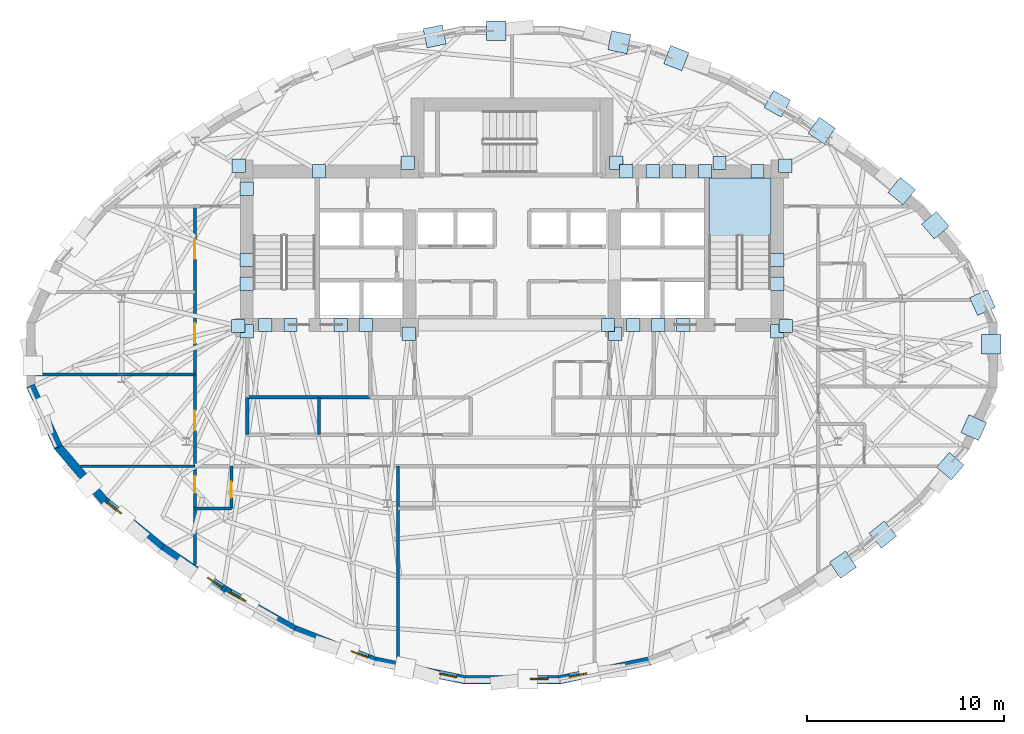
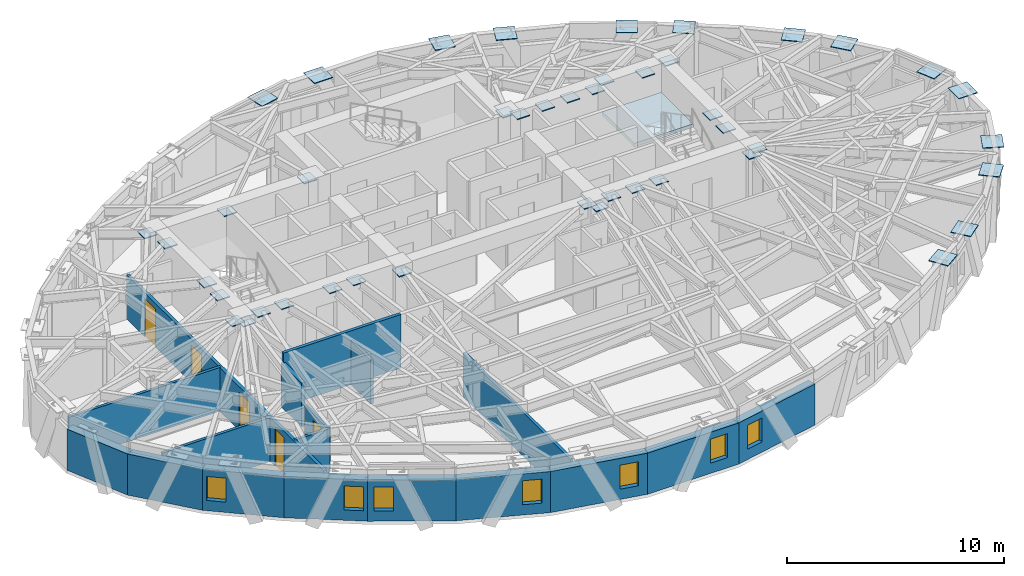
# One storey, part 5 of 14: 44 plates, 18 walls, 7 windows, 5 doors, 1 slab, 12 openings, 1 element without a shape of its own.
"""IFC4 building model written with IfcOpenShell, lengths in metres."""

from ifc_helpers import new_model, si_unit, direction, frame, frame_2d, origin, origin_2d, place, context, subcontext, project, spatial, polyline, rectangle, outline, extrude, material, layer, layer_set, type_object, element, fill, aggregate, save


model = new_model("IFC4")

# Units and contexts
model_context = context("Model", 3, precision=1e-05, world=origin(), true_north=direction((0.0, 1.0)))
body_context = subcontext(model_context, "Body", "Model", "MODEL_VIEW")
ifc_project = project(units=[si_unit("LENGTHUNIT", "METRE"), si_unit("AREAUNIT", "SQUARE_METRE"), si_unit("VOLUMEUNIT", "CUBIC_METRE"), si_unit("PLANEANGLEUNIT", "RADIAN"), si_unit("MASSUNIT", "GRAM", prefix="KILO")], contexts=[model_context])

# Site, building, storey
site_placement = place(None, origin())
site = spatial("IfcSite", under=ifc_project, at=site_placement, CompositionType="ELEMENT")
building_placement = place(site_placement, origin())
building = spatial("IfcBuilding", under=site, at=building_placement, Name="Keldmark Tower", CompositionType="ELEMENT")
storey_placement = place(building_placement, frame((0.0, 0.0, 188.60009765625)))
storey = spatial("IfcBuildingStorey", under=building, at=storey_placement, Name="L52", CompositionType="ELEMENT", Elevation=188.60009765625)

# Plates
ifc_material_1 = material(Name="Steel ASTM A572 Grade 50", Category="steel")
ifc_layer_1 = layer(ifc_material_1, 0.06005859375)
ifc_layer_set_1 = layer_set([ifc_layer_1], Name="Steel ASTM A572 Grade 50")
plate_type_1 = type_object("IfcPlateType", Name="Belt Truss Kink Node Assembly KN01 60 mm", PredefinedType="USERDEFINED", material=ifc_layer_set_1)
for number, where, z_axis, x_axis, name in (
    (1, (13.91162109375, 1.473388671875, 2.72412109375), (0.0, 0.0, 1.0), (1.0, 0.0, 0.0), "L52 Core Wall Cast-In Embed Plate 1526"),
    (2, (13.878173828125, 9.608154296875, 2.72412109375), (0.0, 0.0, 1.0), (1.0, 0.0, 0.0), "L52 Core Wall Cast-In Embed Plate 1527"),
    (3, (5.28515625, 9.758544921875, 2.72412109375), (0.0, 0.0, 1.0), (1.0, 0.0, 0.0), "L52 Core Wall Cast-In Embed Plate 1528"),
    (4, (-5.28515625, 9.758544921875, 2.72412109375), (0.0, 0.0, 1.0), (1.0, 0.0, 0.0), "L52 Core Wall Cast-In Embed Plate 1529"),
    (5, (-13.878173828125, 9.608154296875, 2.72412109375), (0.0, 0.0, 1.0), (1.0, 0.0, 0.0), "L52 Core Wall Cast-In Embed Plate 1530"),
    (6, (-13.91162109375, 1.473388671875, 2.72412109375), (0.0, 0.0, 1.0), (1.0, 0.0, 0.0), "L52 Core Wall Cast-In Embed Plate 1531"),
    (7, (-5.24072265625, 1.08251953125, 2.72412109375), (0.0, 0.0, 1.0), (1.0, 0.0, 0.0), "L52 Core Wall Cast-In Embed Plate 1532"),
    (8, (5.24072265625, 1.08251953125, 2.72412109375), (0.0, 0.0, 1.0), (1.0, 0.0, 0.0), "L52 Core Wall Cast-In Embed Plate 1533"),
    (9, (-13.47509765625, 1.199951171875, 2.72412109375), (0.0, 0.0, 1.0), (1.0, 0.0, 0.0), "L52 Core Wall Cast-In Embed Plate 1534"),
    (10, (-7.425048828125, 1.52490234375, 2.72412109375), (0.0, 0.0, 1.0), (1.0, 0.0, 0.0), "L52 Core Wall Cast-In Embed Plate 1535"),
    (11, (7.425048828125, 1.52490234375, 2.72412109375), (0.0, 0.0, 1.0), (1.0, 0.0, 0.0), "L52 Core Wall Cast-In Embed Plate 1536"),
    (12, (13.47509765625, 1.199951171875, 2.72412109375), (0.0, 0.0, 1.0), (1.0, 0.0, 0.0), "L52 Core Wall Cast-In Embed Plate 1537"),
    (13, (-8.699951171875, 1.52490234375, 2.72412109375), (0.0, 0.0, 1.0), (1.0, 0.0, 0.0), "L52 Core Wall Cast-In Embed Plate 1538"),
    (14, (13.47509765625, 4.8212890625, 2.72412109375), (0.0, 0.0, 1.0), (1.0, 0.0, 0.0), "L52 Core Wall Cast-In Embed Plate 1539"),
    (15, (9.8037109375, 9.324951171875, 2.72412109375), (0.0, 0.0, 1.0), (1.0, 0.0, 0.0), "L52 Core Wall Cast-In Embed Plate 1540"),
    (16, (10.5390625, 9.74853515625, 2.72412109375), (0.0, 0.0, 1.0), (1.0, 0.0, 0.0), "L52 Core Wall Cast-In Embed Plate 1541"),
    (17, (7.139404296875, 9.324951171875, 2.72412109375), (0.0, 0.0, 1.0), (1.0, 0.0, 0.0), "L52 Core Wall Cast-In Embed Plate 1542"),
    (18, (-9.8037109375, 9.324951171875, 2.72412109375), (0.0, 0.0, 1.0), (1.0, 0.0, 0.0), "L52 Core Wall Cast-In Embed Plate 1543"),
    (19, (-13.47509765625, 4.8212890625, 2.72412109375), (0.0, 0.0, 1.0), (1.0, 0.0, 0.0), "L52 Core Wall Cast-In Embed Plate 1544"),
    (20, (-13.47509765625, 8.44287109375, 2.72412109375), (0.0, 0.0, 1.0), (1.0, 0.0, 0.0), "L52 Core Wall Cast-In Embed Plate 1545"),
    (21, (-13.47509765625, 3.6142578125, 2.72412109375), (0.0, 0.0, 1.0), (1.0, 0.0, 0.0), "L52 Core Wall Cast-In Embed Plate 1546"),
    (22, (4.875, 1.52490234375, 2.72412109375), (0.0, 0.0, 1.0), (1.0, 0.0, 0.0), "L52 Core Wall Cast-In Embed Plate 1547"),
    (23, (-12.52490234375, 1.52490234375, 2.72412109375), (0.0, 0.0, 1.0), (1.0, 0.0, 0.0), "L52 Core Wall Cast-In Embed Plate 1548"),
    (24, (-11.25, 1.52490234375, 2.72412109375), (0.0, 0.0, 1.0), (1.0, 0.0, 0.0), "L52 Core Wall Cast-In Embed Plate 1549"),
    (25, (6.14990234375, 1.52490234375, 2.72412109375), (0.0, 0.0, 1.0), (1.0, 0.0, 0.0), "L52 Core Wall Cast-In Embed Plate 1550"),
    (26, (8.699951171875, 1.52490234375, 2.72412109375), (0.0, 0.0, 1.0), (1.0, 0.0, 0.0), "L52 Core Wall Cast-In Embed Plate 1551"),
    (27, (13.47509765625, 3.6142578125, 2.72412109375), (0.0, 0.0, 1.0), (1.0, 0.0, 0.0), "L52 Core Wall Cast-In Embed Plate 1552"),
    (28, (5.80712890625, 9.324951171875, 2.72412109375), (0.0, 0.0, 1.0), (1.0, 0.0, 0.0), "L52 Core Wall Cast-In Embed Plate 1553"),
    (29, (12.468017578125, 9.324951171875, 2.72412109375), (0.0, 0.0, 1.0), (1.0, 0.0, 0.0), "L52 Core Wall Cast-In Embed Plate 1554"),
    (30, (8.471435546875, 9.324951171875, 2.72412109375), (0.0, 0.0, 1.0), (1.0, 0.0, 0.0), "L52 Core Wall Cast-In Embed Plate 1555"),
):
    element("IfcPlate", number, at=place(storey_placement, frame(where, z_axis=z_axis, x_axis=x_axis)), inside=storey, type_object=plate_type_1, Name=name, ObjectType="CAP PLATE", PredefinedType="USERDEFINED", context=body_context, shape_type="SweptSolid", body=[
        extrude(rectangle(XDim=0.679931640625, YDim=0.679931640625, at=origin_2d()), origin(), (0.0, 0.0, 1.0), 0.054931640625),
    ])
ifc_material_2 = material(Name="Steel ASTM A572 Grade 50", Category="steel")
ifc_layer_2 = layer(ifc_material_2, 0.044921875)
ifc_layer_set_2 = layer_set([ifc_layer_2], Name="Steel ASTM A572 Grade 50")
plate_type_2 = type_object("IfcPlateType", Name="Diagrid Node Assembly DN04 45 mm", PredefinedType="USERDEFINED", material=ifc_layer_set_2)
for number, where, z_axis, x_axis, name in (
    (31, (23.89208984375, 2.661376953125, 2.87744140625), (0.0, 0.0, 1.0), (-0.412627540369, 0.910899836935, 0.0), "L52 Diagrid Node Assembly 01"),
    (32, (21.50048828125, 6.589599609375, 2.87744140625), (0.0, 0.0, 1.0), (-0.649713440513, 0.760179219143, 0.0), "L52 Diagrid Node Assembly 02"),
    (33, (19.789306640625, 8.32080078125, 2.87744140625), (0.0, 0.0, 1.0), (-0.77615646894, 0.630540352177, 0.0), "L52 Diagrid Node Assembly 03"),
    (34, (15.731689453125, 11.384765625, 2.87744140625), (0.0, 0.0, 1.0), (-0.827766671236, 0.56107248907, 0.0), "L52 Diagrid Node Assembly 04"),
    (35, (13.472900390625, 12.754150390625, 2.87744140625), (0.0, 0.0, 1.0), (-0.87035569594, 0.492423560103, 0.0), "L52 Diagrid Node Assembly 05"),
    (36, (8.34326171875, 15.07421875, 2.87744140625), (0.0, 0.0, 1.0), (-0.930800856941, 0.365526694947, 0.0), "L52 Diagrid Node Assembly 06"),
    (37, (5.448486328125, 15.881103515625, 2.87744140625), (0.0, 0.0, 1.0), (-0.979009915383, 0.203812623708, 0.0), "L52 Diagrid Node Assembly 07"),
    (38, (-0.806884765625, 16.477783203125, 2.87744140625), (0.0, 0.0, 1.0), (-1.0, 0.0, 0.0), "L52 Diagrid Node Assembly 08"),
    (39, (-3.928466796875, 16.17822265625, 2.87744140625), (0.0, 0.0, 1.0), (-0.979009915383, -0.203812623708, 0.0), "L52 Diagrid Node Assembly 09"),
    (40, (16.81103515625, -10.650390625, 2.87744140625), (0.0, 0.0, 1.0), (0.827766671236, 0.56107248907, 0.0), "L52 Diagrid Node Assembly 28"),
    (41, (18.834716796875, -9.12158203125, 2.87744140625), (0.0, 0.0, 1.0), (0.77615646894, 0.630540352177, 0.0), "L52 Diagrid Node Assembly 29"),
    (42, (22.260009765625, -5.647216796875, 2.87744140625), (0.0, 0.0, 1.0), (0.649713440513, 0.760179219143, 0.0), "L52 Diagrid Node Assembly 30"),
    (43, (23.452392578125, -3.688232421875, 2.87744140625), (0.0, 0.0, 1.0), (0.412627540369, 0.910899836935, 0.0), "L52 Diagrid Node Assembly 31"),
    (44, (24.333984375, 0.548828125, 2.87744140625), (0.0, 0.0, 1.0), (0.0, 1.0, 0.0), "L52 Diagrid Node Assembly 32"),
):
    element("IfcPlate", number, at=place(storey_placement, frame(where, z_axis=z_axis, x_axis=x_axis)), inside=storey, type_object=plate_type_2, Name=name, ObjectType="GUSSET", PredefinedType="USERDEFINED", context=body_context, shape_type="SweptSolid", body=[
        extrude(rectangle(XDim=0.989990234375, YDim=0.989990234375, at=origin_2d()), origin(), (0.0, 0.0, 1.0), 0.044921875),
    ])

# Stair, slab
ifc_material_3 = material(Name="Concrete C40/50", Category="concrete")
stair_type = type_object("IfcStairType", Name="Precast Concrete Core Exit Stair", PredefinedType="HALF_TURN_STAIR", material=ifc_material_3)
stair_placement = place(storey_placement, origin())
stair = element("IfcStair", 45, at=stair_placement, inside=storey, type_object=stair_type, Name="L52 Exit Stair ST2", PredefinedType="HALF_TURN_STAIR")
ifc_material_4 = material(Name="Concrete C40/50", Category="concrete")
ifc_layer_3 = layer(ifc_material_4, 0.199951171875)
ifc_layer_set_3 = layer_set([ifc_layer_3], Name="Concrete C40/50")
slab_type = type_object("IfcSlabType", Name="Reinforced Concrete Stair Landing 200 mm", PredefinedType="LANDING", material=ifc_layer_set_3)
slab_placement = place(storey_placement, frame((0.0, 0.0, 1.39990234375)))
slab = element("IfcSlab", 46, at=slab_placement, type_object=slab_type, Name="ST2 landing 1", PredefinedType="LANDING", context=body_context, shape_type="SweptSolid", body=[
    extrude(outline(polyline([(13.14990234375, 6.050048828125), (13.14990234375, 9.0), (10.0, 9.0), (10.0, 6.050048828125), (13.14990234375, 6.050048828125)])), origin(), (0.0, 0.0, 1.0), 0.199951171875),
])
aggregate(stair, [slab])

# Walls
ifc_material_5 = material(Name="Heavy Acoustic Plumbing Chase Gypsum Assembly", Category="gypsum")
ifc_layer_4 = layer(ifc_material_5, 0.18994140625)
ifc_layer_set_4 = layer_set([ifc_layer_4], Name="Heavy Acoustic Plumbing Chase Gypsum Assembly")
wall_type_1 = type_object("IfcWallType", Name="Heavy Wet Wall 190 mm", PredefinedType="PLUMBINGWALL", material=ifc_layer_set_4)
wall_1_placement = place(storey_placement, frame((-13.449951171875, -4.050048828125, 0.0), z_axis=(0.0, 0.0, 1.0), x_axis=(0.0, 1.0, 0.0)))
element("IfcWall", 47, at=wall_1_placement, inside=storey, type_object=wall_type_1, Name="L52 Heavy Wet Wall 190 mm SPK-W-W", PredefinedType="PLUMBINGWALL", context=body_context, shape_type="SweptSolid", body=[
    extrude(rectangle(XDim=1.900146484375, YDim=0.18994140625, at=frame_2d((0.9501953125, 0.0))), origin(), (0.0, 0.0, 1.0), 2.472900390625),
])
ifc_material_6 = material(Name="Type X Fire-Rated Gypsum Partition Assembly", Category="gypsum")
ifc_layer_5 = layer(ifc_material_6, 0.1650390625)
ifc_layer_set_5 = layer_set([ifc_layer_5], Name="Type X Fire-Rated Gypsum Partition Assembly")
wall_type_2 = type_object("IfcWallType", Name="Rated Partition 165 mm", PredefinedType="PARTITIONING", material=ifc_layer_set_5)
wall_2_placement = place(storey_placement, frame((-13.449951171875, -2.14990234375, 0.0), z_axis=(0.0, 0.0, 1.0), x_axis=(1.0, 0.0, 0.0)))
element("IfcWall", 48, at=wall_2_placement, inside=storey, type_object=wall_type_2, Name="L52 Rated Partition 165 mm FSAE-W-S", PredefinedType="PARTITIONING", context=body_context, shape_type="SweptSolid", body=[
    extrude(rectangle(XDim=6.25, YDim=0.1650390625, at=frame_2d((3.125, 0.0))), origin(), (0.0, 0.0, 1.0), 3.02001953125),
])

# Wall, openings, doors
wall_3_placement = place(storey_placement, frame((-16.10009765625, -10.64501953125, 0.0), z_axis=(0.0, 0.0, 1.0), x_axis=(0.0, 1.0, 0.0)))
wall_3 = element("IfcWall", 49, at=wall_3_placement, inside=storey, type_object=wall_type_2, Name="L52 Rated Partition 165 mm HCOR-W", PredefinedType="PARTITIONING", context=body_context, shape_type="SweptSolid", body=[
    extrude(rectangle(XDim=18.195068359375, YDim=0.1650390625, at=frame_2d((9.09765625, 0.0))), origin(), (0.0, 0.0, 1.0), 2.472900390625),
])
opening_1_placement = place(wall_3_placement, frame((3.6455078125, 0.0, 0.0)))
opening_1 = element("IfcOpeningElement", 50, at=opening_1_placement, cuts=wall_3, Name="Opening D-IN085", PredefinedType="OPENING", context=body_context, shape_type="SweptSolid", body=[
    extrude(rectangle(XDim=0.85009765625, YDim=2.10009765625, at=frame_2d((0.425048828125, 1.050048828125))), frame((0.0, 0.092529296875, 0.0), z_axis=(0.0, -1.0, 0.0), x_axis=(1.0, 0.0, 0.0)), (0.0, 0.0, 1.0), 0.18505859375),
])
opening_2_placement = place(wall_3_placement, frame((6.820556640625, 0.0, 0.0)))
opening_2 = element("IfcOpeningElement", 51, at=opening_2_placement, cuts=wall_3, Name="Opening D-FD100", PredefinedType="OPENING", context=body_context, shape_type="SweptSolid", body=[
    extrude(rectangle(XDim=1.0, YDim=2.14990234375, at=frame_2d((0.5, 1.074951171875))), frame((0.0, 0.092529296875, 0.0), z_axis=(0.0, -1.0, 0.0), x_axis=(1.0, 0.0, 0.0)), (0.0, 0.0, 1.0), 0.18505859375),
])
opening_3_placement = place(wall_3_placement, frame((11.24560546875, 0.0, 0.0)))
opening_3 = element("IfcOpeningElement", 52, at=opening_3_placement, cuts=wall_3, Name="Opening D-FD100", PredefinedType="OPENING", context=body_context, shape_type="SweptSolid", body=[
    extrude(rectangle(XDim=1.0, YDim=2.14990234375, at=frame_2d((0.5, 1.074951171875))), frame((0.0, 0.092529296875, 0.0), z_axis=(0.0, -1.0, 0.0), x_axis=(1.0, 0.0, 0.0)), (0.0, 0.0, 1.0), 0.18505859375),
])
opening_4_placement = place(wall_3_placement, frame((15.5205078125, 0.0, 0.0)))
opening_4 = element("IfcOpeningElement", 53, at=opening_4_placement, cuts=wall_3, Name="Opening D-FD100", PredefinedType="OPENING", context=body_context, shape_type="SweptSolid", body=[
    extrude(rectangle(XDim=1.0, YDim=2.14990234375, at=frame_2d((0.5, 1.074951171875))), frame((0.0, 0.092529296875, 0.0), z_axis=(0.0, -1.0, 0.0), x_axis=(1.0, 0.0, 0.0)), (0.0, 0.0, 1.0), 0.18505859375),
])
ifc_material_7 = material(Name="Hollow Metal Fire-Rated Corridor Door", Category="metal")
door_type_1 = type_object("IfcDoorType", Name="Fire Door 1000x2150", OperationType="NOTDEFINED", PredefinedType="DOOR", material=ifc_material_7)
door_1_placement = place(opening_2_placement, origin())
door_1 = element("IfcDoor", 54, at=door_1_placement, inside=storey, type_object=door_type_1, Name="L52 Fire Door 1000x2150 D-HWSP-1-L52", OperationType="SINGLE_SWING_RIGHT", OverallHeight=2.14990234375, OverallWidth=1.0, PredefinedType="DOOR", context=body_context, shape_type="SweptSolid", body=[
    extrude(rectangle(XDim=1.0, YDim=2.14990234375, at=frame_2d((0.5, 1.074951171875))), frame((0.0, 0.02490234375, 0.0), z_axis=(0.0, -1.0, 0.0), x_axis=(1.0, 0.0, 0.0)), (0.0, 0.0, 1.0), 0.050048828125),
])
fill(opening_2, door_1)
door_2_placement = place(opening_3_placement, origin())
door_2 = element("IfcDoor", 55, at=door_2_placement, inside=storey, type_object=door_type_1, Name="L52 Fire Door 1000x2150 D-HWSP-2-L52", OperationType="SINGLE_SWING_LEFT", OverallHeight=2.14990234375, OverallWidth=1.0, PredefinedType="DOOR", context=body_context, shape_type="SweptSolid", body=[
    extrude(rectangle(XDim=1.0, YDim=2.14990234375, at=frame_2d((0.5, 1.074951171875))), frame((0.0, 0.02490234375, 0.0), z_axis=(0.0, -1.0, 0.0), x_axis=(1.0, 0.0, 0.0)), (0.0, 0.0, 1.0), 0.050048828125),
])
fill(opening_3, door_2)
door_3_placement = place(opening_4_placement, origin())
door_3 = element("IfcDoor", 56, at=door_3_placement, inside=storey, type_object=door_type_1, Name="L52 Fire Door 1000x2150 D-HWSP-3-L52", OperationType="SINGLE_SWING_LEFT", OverallHeight=2.14990234375, OverallWidth=1.0, PredefinedType="DOOR", context=body_context, shape_type="SweptSolid", body=[
    extrude(rectangle(XDim=1.0, YDim=2.14990234375, at=frame_2d((0.5, 1.074951171875))), frame((0.0, 0.02490234375, 0.0), z_axis=(0.0, -1.0, 0.0), x_axis=(1.0, 0.0, 0.0)), (0.0, 0.0, 1.0), 0.050048828125),
])
fill(opening_4, door_3)
ifc_material_8 = material(Name="Painted Architectural Wood", Category="wood")
door_type_2 = type_object("IfcDoorType", Name="Interior Door 850x2100", OperationType="NOTDEFINED", PredefinedType="DOOR", material=ifc_material_8)
door_4_placement = place(opening_1_placement, origin())
door_4 = element("IfcDoor", 57, at=door_4_placement, inside=storey, type_object=door_type_2, Name="L52 Interior Door 850x2100 D-HKSW-L52", OperationType="SINGLE_SWING_LEFT", OverallHeight=2.10009765625, OverallWidth=0.85009765625, PredefinedType="DOOR", context=body_context, shape_type="SweptSolid", body=[
    extrude(rectangle(XDim=0.85009765625, YDim=2.10009765625, at=frame_2d((0.425048828125, 1.050048828125))), frame((0.0, 0.02490234375, 0.0), z_axis=(0.0, -1.0, 0.0), x_axis=(1.0, 0.0, 0.0)), (0.0, 0.0, 1.0), 0.050048828125),
])
fill(opening_1, door_4)

# Walls
ifc_material_9 = material(Name="Ironspot Manganese Brick and Kasota Buff Limestone Spandrel Assembly", Category="masonry")
ifc_layer_6 = layer(ifc_material_9, 0.43994140625)
ifc_layer_set_6 = layer_set([ifc_layer_6], Name="Ironspot Manganese Brick and Kasota Buff Limestone Spandrel Assembly")
wall_type_3 = type_object("IfcWallType", Name="Tower Brick Pier and Spandrel Wall 440 mm", PredefinedType="STANDARD", material=ifc_layer_set_6)
wall_4_placement = place(storey_placement, frame((-23.038818359375, -4.6884765625, 0.0), z_axis=(0.0, 0.0, 1.0), x_axis=(-0.412583132773, 0.91091995178, 0.0)))
element("IfcWall", 58, at=wall_4_placement, inside=storey, type_object=wall_type_3, Name="L52 Exterior Brick and Spandrel Wall 17", PredefinedType="STANDARD", context=body_context, shape_type="SweptSolid", body=[
    extrude(rectangle(XDim=3.439208984375, YDim=0.43994140625, at=frame_2d((1.7197265625, 0.0))), origin(), (0.0, 0.0, 1.0), 2.31494140625),
])
wall_5_placement = place(storey_placement, frame((-20.69580078125, -7.4169921875, 0.0), z_axis=(0.0, 0.0, 1.0), x_axis=(-0.649641806751, 0.760240437573, 0.0)))
element("IfcWall", 59, at=wall_5_placement, inside=storey, type_object=wall_type_3, Name="L52 Exterior Brick and Spandrel Wall 18", PredefinedType="STANDARD", context=body_context, shape_type="SweptSolid", body=[
    extrude(rectangle(XDim=3.65771484375, YDim=0.43994140625, at=frame_2d((1.828857421875, 0.0))), origin(), (0.0, 0.0, 1.0), 2.31494140625),
])

# Wall, opening, window
wall_6_placement = place(storey_placement, frame((-17.76708984375, -9.79150390625, 0.0), z_axis=(0.0, 0.0, 1.0), x_axis=(-0.776145361002, 0.63055402512, 0.0)))
wall_6 = element("IfcWall", 60, at=wall_6_placement, inside=storey, type_object=wall_type_3, Name="L52 Exterior Brick and Spandrel Wall 19", PredefinedType="STANDARD", context=body_context, shape_type="SweptSolid", body=[
    extrude(rectangle(XDim=3.809814453125, YDim=0.43994140625, at=frame_2d((1.90478515625, 0.0))), origin(), (0.0, 0.0, 1.0), 2.31494140625),
])
opening_5_placement = place(wall_6_placement, frame((2.7099609375, 0.0, 0.580078125)))
opening_5 = element("IfcOpeningElement", 61, at=opening_5_placement, cuts=wall_6, Name="Opening W-09", PredefinedType="OPENING", context=body_context, shape_type="SweptSolid", body=[
    extrude(rectangle(XDim=0.89990234375, YDim=1.35009765625, at=frame_2d((0.449951171875, 0.675048828125))), frame((0.0, 0.22998046875, 0.0), z_axis=(0.0, -1.0, 0.0), x_axis=(1.0, 0.0, 0.0)), (0.0, 0.0, 1.0), 0.4599609375),
])
ifc_material_10 = material(Name="Thermally Broken Anodized Aluminum and Triple Low-E Argon Glazing", Category="aluminium")
window_type = type_object("IfcWindowType", Name="Corner Pier Deep-Set Window 900x1350", PartitioningType="SINGLE_PANEL", PredefinedType="WINDOW", material=ifc_material_10)
window_1_placement = place(opening_5_placement, origin())
window_1 = element("IfcWindow", 62, at=window_1_placement, inside=storey, type_object=window_type, Name="L52 Deep-Set Window 19", OverallHeight=1.35009765625, OverallWidth=0.89990234375, PartitioningType="SINGLE_PANEL", PredefinedType="WINDOW", context=body_context, shape_type="SweptSolid", body=[
    extrude(rectangle(XDim=0.89990234375, YDim=1.35009765625, at=frame_2d((0.449951171875, 0.675048828125))), frame((0.0, -0.010009765625, 0.0), z_axis=(0.0, -1.0, 0.0), x_axis=(1.0, 0.0, 0.0)), (0.0, 0.0, 1.0), 0.06005859375),
])
fill(opening_5, window_1)

wall_7_placement = place(storey_placement, frame((-14.5712890625, -11.956787109375, 0.0), z_axis=(0.0, 0.0, 1.0), x_axis=(-0.82772633423, 0.56113199483, 0.0)))
wall_7 = element("IfcWall", 63, at=wall_7_placement, inside=storey, type_object=wall_type_3, Name="L52 Exterior Brick and Spandrel Wall 20", PredefinedType="STANDARD", context=body_context, shape_type="SweptSolid", body=[
    extrude(rectangle(XDim=3.879150390625, YDim=0.43994140625, at=frame_2d((1.939453125, 0.0))), origin(), (0.0, 0.0, 1.0), 2.31494140625),
])
opening_6_placement = place(wall_7_placement, frame((0.199951171875, 0.0, 0.580078125)))
opening_6 = element("IfcOpeningElement", 64, at=opening_6_placement, cuts=wall_7, Name="Opening W-09", PredefinedType="OPENING", context=body_context, shape_type="SweptSolid", body=[
    extrude(rectangle(XDim=0.89990234375, YDim=1.35009765625, at=frame_2d((0.449951171875, 0.675048828125))), frame((0.0, 0.22998046875, 0.0), z_axis=(0.0, -1.0, 0.0), x_axis=(1.0, 0.0, 0.0)), (0.0, 0.0, 1.0), 0.4599609375),
])
window_2_placement = place(opening_6_placement, origin())
window_2 = element("IfcWindow", 65, at=window_2_placement, inside=storey, type_object=window_type, Name="L52 Deep-Set Window 20", OverallHeight=1.35009765625, OverallWidth=0.89990234375, PartitioningType="SINGLE_PANEL", PredefinedType="WINDOW", context=body_context, shape_type="SweptSolid", body=[
    extrude(rectangle(XDim=0.89990234375, YDim=1.35009765625, at=frame_2d((0.449951171875, 0.675048828125))), frame((0.0, -0.010009765625, 0.0), z_axis=(0.0, -1.0, 0.0), x_axis=(1.0, 0.0, 0.0)), (0.0, 0.0, 1.0), 0.06005859375),
])
fill(opening_6, window_2)

wall_8_placement = place(storey_placement, frame((-11.043212890625, -13.952392578125, 0.0), z_axis=(0.0, 0.0, 1.0), x_axis=(-0.870346086449, 0.492440544434, 0.0)))
wall_8 = element("IfcWall", 66, at=wall_8_placement, inside=storey, type_object=wall_type_3, Name="L52 Exterior Brick and Spandrel Wall 21", PredefinedType="STANDARD", context=body_context, shape_type="SweptSolid", body=[
    extrude(rectangle(XDim=4.0712890625, YDim=0.43994140625, at=frame_2d((2.03564453125, 0.0))), origin(), (0.0, 0.0, 1.0), 2.31494140625),
])
opening_7_placement = place(wall_8_placement, frame((2.872314453125, 0.0, 0.580078125)))
opening_7 = element("IfcOpeningElement", 67, at=opening_7_placement, cuts=wall_8, Name="Opening W-09", PredefinedType="OPENING", context=body_context, shape_type="SweptSolid", body=[
    extrude(rectangle(XDim=0.89990234375, YDim=1.35009765625, at=frame_2d((0.449951171875, 0.675048828125))), frame((0.0, 0.22998046875, 0.0), z_axis=(0.0, -1.0, 0.0), x_axis=(1.0, 0.0, 0.0)), (0.0, 0.0, 1.0), 0.4599609375),
])
window_3_placement = place(opening_7_placement, origin())
window_3 = element("IfcWindow", 68, at=window_3_placement, inside=storey, type_object=window_type, Name="L52 Deep-Set Window 21", OverallHeight=1.35009765625, OverallWidth=0.89990234375, PartitioningType="SINGLE_PANEL", PredefinedType="WINDOW", context=body_context, shape_type="SweptSolid", body=[
    extrude(rectangle(XDim=0.89990234375, YDim=1.35009765625, at=frame_2d((0.449951171875, 0.675048828125))), frame((0.0, -0.010009765625, 0.0), z_axis=(0.0, -1.0, 0.0), x_axis=(1.0, 0.0, 0.0)), (0.0, 0.0, 1.0), 0.06005859375),
])
fill(opening_7, window_3)

wall_9_placement = place(storey_placement, frame((-6.96923828125, -15.550048828125, 0.0), z_axis=(0.0, 0.0, 1.0), x_axis=(-0.930777752543, 0.365585524018, 0.0)))
wall_9 = element("IfcWall", 69, at=wall_9_placement, inside=storey, type_object=wall_type_3, Name="L52 Exterior Brick and Spandrel Wall 22", PredefinedType="STANDARD", context=body_context, shape_type="SweptSolid", body=[
    extrude(rectangle(XDim=4.40673828125, YDim=0.43994140625, at=frame_2d((2.203369140625, 0.0))), origin(), (0.0, 0.0, 1.0), 2.31494140625),
])
opening_8_placement = place(wall_9_placement, frame((0.397216796875, 0.0, 0.580078125)))
opening_8 = element("IfcOpeningElement", 70, at=opening_8_placement, cuts=wall_9, Name="Opening W-09", PredefinedType="OPENING", context=body_context, shape_type="SweptSolid", body=[
    extrude(rectangle(XDim=0.89990234375, YDim=1.35009765625, at=frame_2d((0.449951171875, 0.675048828125))), frame((0.0, 0.22998046875, 0.0), z_axis=(0.0, -1.0, 0.0), x_axis=(1.0, 0.0, 0.0)), (0.0, 0.0, 1.0), 0.4599609375),
])
window_4_placement = place(opening_8_placement, origin())
window_4 = element("IfcWindow", 71, at=window_4_placement, inside=storey, type_object=window_type, Name="L52 Deep-Set Window 22", OverallHeight=1.35009765625, OverallWidth=0.89990234375, PartitioningType="SINGLE_PANEL", PredefinedType="WINDOW", context=body_context, shape_type="SweptSolid", body=[
    extrude(rectangle(XDim=0.89990234375, YDim=1.35009765625, at=frame_2d((0.449951171875, 0.675048828125))), frame((0.0, -0.010009765625, 0.0), z_axis=(0.0, -1.0, 0.0), x_axis=(1.0, 0.0, 0.0)), (0.0, 0.0, 1.0), 0.06005859375),
])
fill(opening_8, window_4)

wall_10_placement = place(storey_placement, frame((-2.3837890625, -16.50146484375, 0.0), z_axis=(0.0, 0.0, 1.0), x_axis=(-0.979004509935, 0.203838586943, 0.0)))
wall_10 = element("IfcWall", 72, at=wall_10_placement, inside=storey, type_object=wall_type_3, Name="L52 Exterior Brick and Spandrel Wall 23", PredefinedType="STANDARD", context=body_context, shape_type="SweptSolid", body=[
    extrude(rectangle(XDim=4.72021484375, YDim=0.43994140625, at=frame_2d((2.360107421875, 0.0))), origin(), (0.0, 0.0, 1.0), 2.31494140625),
])
opening_9_placement = place(wall_10_placement, frame((0.44775390625, 0.0, 0.580078125)))
opening_9 = element("IfcOpeningElement", 73, at=opening_9_placement, cuts=wall_10, Name="Opening W-09", PredefinedType="OPENING", context=body_context, shape_type="SweptSolid", body=[
    extrude(rectangle(XDim=0.89990234375, YDim=1.35009765625, at=frame_2d((0.449951171875, 0.675048828125))), frame((0.0, 0.22998046875, 0.0), z_axis=(0.0, -1.0, 0.0), x_axis=(1.0, 0.0, 0.0)), (0.0, 0.0, 1.0), 0.4599609375),
])
window_5_placement = place(opening_9_placement, origin())
window_5 = element("IfcWindow", 74, at=window_5_placement, inside=storey, type_object=window_type, Name="L52 Deep-Set Window 23", OverallHeight=1.35009765625, OverallWidth=0.89990234375, PartitioningType="SINGLE_PANEL", PredefinedType="WINDOW", context=body_context, shape_type="SweptSolid", body=[
    extrude(rectangle(XDim=0.89990234375, YDim=1.35009765625, at=frame_2d((0.449951171875, 0.675048828125))), frame((0.0, -0.010009765625, 0.0), z_axis=(0.0, -1.0, 0.0), x_axis=(1.0, 0.0, 0.0)), (0.0, 0.0, 1.0), 0.06005859375),
])
fill(opening_9, window_5)

wall_11_placement = place(storey_placement, frame((2.4287109375, -16.496826171875, 0.0), z_axis=(0.0, 0.0, 1.0), x_axis=(-1.0, 0.0, 0.0)))
wall_11 = element("IfcWall", 75, at=wall_11_placement, inside=storey, type_object=wall_type_3, Name="L52 Exterior Brick and Spandrel Wall 24", PredefinedType="STANDARD", context=body_context, shape_type="SweptSolid", body=[
    extrude(rectangle(XDim=4.857421875, YDim=0.43994140625, at=frame_2d((2.4287109375, 0.0))), origin(), (0.0, 0.0, 1.0), 2.31494140625),
])
opening_10_placement = place(wall_11_placement, frame((0.59521484375, 0.0, 0.580078125)))
opening_10 = element("IfcOpeningElement", 76, at=opening_10_placement, cuts=wall_11, Name="Opening W-09", PredefinedType="OPENING", context=body_context, shape_type="SweptSolid", body=[
    extrude(rectangle(XDim=0.89990234375, YDim=1.35009765625, at=frame_2d((0.449951171875, 0.675048828125))), frame((0.0, 0.22998046875, 0.0), z_axis=(0.0, -1.0, 0.0), x_axis=(1.0, 0.0, 0.0)), (0.0, 0.0, 1.0), 0.4599609375),
])
window_6_placement = place(opening_10_placement, origin())
window_6 = element("IfcWindow", 77, at=window_6_placement, inside=storey, type_object=window_type, Name="L52 Deep-Set Window 24", OverallHeight=1.35009765625, OverallWidth=0.89990234375, PartitioningType="SINGLE_PANEL", PredefinedType="WINDOW", context=body_context, shape_type="SweptSolid", body=[
    extrude(rectangle(XDim=0.89990234375, YDim=1.35009765625, at=frame_2d((0.449951171875, 0.675048828125))), frame((0.0, -0.010009765625, 0.0), z_axis=(0.0, -1.0, 0.0), x_axis=(1.0, 0.0, 0.0)), (0.0, 0.0, 1.0), 0.06005859375),
])
fill(opening_10, window_6)

wall_12_placement = place(storey_placement, frame((7.0048828125, -15.539306640625, 0.0), z_axis=(0.0, 0.0, 1.0), x_axis=(-0.979004509935, -0.203838586943, 0.0)))
wall_12 = element("IfcWall", 78, at=wall_12_placement, inside=storey, type_object=wall_type_3, Name="L52 Exterior Brick and Spandrel Wall 25", PredefinedType="STANDARD", context=body_context, shape_type="SweptSolid", body=[
    extrude(rectangle(XDim=4.72021484375, YDim=0.43994140625, at=frame_2d((2.360107421875, 0.0))), origin(), (0.0, 0.0, 1.0), 2.31494140625),
])
opening_11_placement = place(wall_12_placement, frame((3.273193359375, 0.0, 0.580078125)))
opening_11 = element("IfcOpeningElement", 79, at=opening_11_placement, cuts=wall_12, Name="Opening W-09", PredefinedType="OPENING", context=body_context, shape_type="SweptSolid", body=[
    extrude(rectangle(XDim=0.89990234375, YDim=1.35009765625, at=frame_2d((0.449951171875, 0.675048828125))), frame((0.0, 0.22998046875, 0.0), z_axis=(0.0, -1.0, 0.0), x_axis=(1.0, 0.0, 0.0)), (0.0, 0.0, 1.0), 0.4599609375),
])
window_7_placement = place(opening_11_placement, origin())
window_7 = element("IfcWindow", 80, at=window_7_placement, inside=storey, type_object=window_type, Name="L52 Deep-Set Window 25", OverallHeight=1.35009765625, OverallWidth=0.89990234375, PartitioningType="SINGLE_PANEL", PredefinedType="WINDOW", context=body_context, shape_type="SweptSolid", body=[
    extrude(rectangle(XDim=0.89990234375, YDim=1.35009765625, at=frame_2d((0.449951171875, 0.675048828125))), frame((0.0, -0.010009765625, 0.0), z_axis=(0.0, -1.0, 0.0), x_axis=(1.0, 0.0, 0.0)), (0.0, 0.0, 1.0), 0.06005859375),
])
fill(opening_11, window_7)

# Walls
ifc_material_11 = material(Name="Moisture-Resistant Gypsum Plumbing Partition", Category="gypsum")
ifc_layer_7 = layer(ifc_material_11, 0.14990234375)
ifc_layer_set_7 = layer_set([ifc_layer_7], Name="Moisture-Resistant Gypsum Plumbing Partition")
wall_type_4 = type_object("IfcWallType", Name="Wet Wall 150 mm", PredefinedType="PLUMBINGWALL", material=ifc_layer_set_7)
wall_13_placement = place(storey_placement, frame((-9.800048828125, -4.050048828125, 0.0), z_axis=(0.0, 0.0, 1.0), x_axis=(0.0, 1.0, 0.0)))
element("IfcWall", 81, at=wall_13_placement, inside=storey, type_object=wall_type_4, Name="L52 Wet Wall 150 mm SPK-W-D1", PredefinedType="PLUMBINGWALL", context=body_context, shape_type="SweptSolid", body=[
    extrude(rectangle(XDim=1.900146484375, YDim=0.14990234375, at=frame_2d((0.9501953125, 0.0))), origin(), (0.0, 0.0, 1.0), 2.472900390625),
])
wall_14_placement = place(storey_placement, frame((-21.906005859375, -5.64990234375, 0.0), z_axis=(0.0, 0.0, 1.0), x_axis=(1.0, 0.0, 0.0)))
element("IfcWall", 82, at=wall_14_placement, inside=storey, type_object=wall_type_4, Name="L52 Wet Wall 150 mm HW-CAP-S", PredefinedType="PLUMBINGWALL", context=body_context, shape_type="SweptSolid", body=[
    extrude(rectangle(XDim=5.805908203125, YDim=0.14990234375, at=frame_2d((2.90283203125, 0.0))), origin(), (0.0, 0.0, 1.0), 2.472900390625),
])
wall_15_placement = place(storey_placement, frame((-5.800048828125, -15.557373046875, 0.0), z_axis=(0.0, 0.0, 1.0), x_axis=(0.0, 1.0, 0.0)))
element("IfcWall", 83, at=wall_15_placement, inside=storey, type_object=wall_type_4, Name="L52 Wet Wall 150 mm HS-DIV-1", PredefinedType="PLUMBINGWALL", context=body_context, shape_type="SweptSolid", body=[
    extrude(rectangle(XDim=9.907470703125, YDim=0.14990234375, at=frame_2d((4.95361328125, 0.0))), origin(), (0.0, 0.0, 1.0), 2.472900390625),
])

# Wall, opening, door
wall_16_placement = place(storey_placement, frame((-14.25, -7.800048828125, 0.0), z_axis=(0.0, 0.0, 1.0), x_axis=(0.0, 1.0, 0.0)))
wall_16 = element("IfcWall", 84, at=wall_16_placement, inside=storey, type_object=wall_type_4, Name="L52 Wet Wall 150 mm HB-S1-E", PredefinedType="PLUMBINGWALL", context=body_context, shape_type="SweptSolid", body=[
    extrude(rectangle(XDim=2.150146484375, YDim=0.14990234375, at=frame_2d((1.0751953125, 0.0))), origin(), (0.0, 0.0, 1.0), 2.472900390625),
])
opening_12_placement = place(wall_16_placement, frame((0.550048828125, 0.0, 0.0)))
opening_12 = element("IfcOpeningElement", 85, at=opening_12_placement, cuts=wall_16, Name="Opening D-BT080", PredefinedType="OPENING", context=body_context, shape_type="SweptSolid", body=[
    extrude(rectangle(XDim=0.800048828125, YDim=2.10009765625, at=frame_2d((0.39990234375, 1.050048828125))), frame((0.0, 0.0849609375, 0.0), z_axis=(0.0, -1.0, 0.0), x_axis=(1.0, 0.0, 0.0)), (0.0, 0.0, 1.0), 0.169921875),
])
ifc_material_12 = material(Name="Moisture-Sealed Stained Wood", Category="wood")
door_type_3 = type_object("IfcDoorType", Name="Bathroom Door 800x2100", OperationType="NOTDEFINED", PredefinedType="DOOR", material=ifc_material_12)
door_5_placement = place(opening_12_placement, origin())
door_5 = element("IfcDoor", 86, at=door_5_placement, inside=storey, type_object=door_type_3, Name="L52 Bathroom Door 800x2100 D-HBS1-L52", OperationType="SINGLE_SWING_RIGHT", OverallHeight=2.10009765625, OverallWidth=0.800048828125, PredefinedType="DOOR", context=body_context, shape_type="SweptSolid", body=[
    extrude(rectangle(XDim=0.800048828125, YDim=2.10009765625, at=frame_2d((0.39990234375, 1.050048828125))), frame((0.0, 0.02490234375, 0.0), z_axis=(0.0, -1.0, 0.0), x_axis=(1.0, 0.0, 0.0)), (0.0, 0.0, 1.0), 0.050048828125),
])
fill(opening_12, door_5)

# Walls
wall_17_placement = place(storey_placement, frame((-16.10009765625, -7.800048828125, 0.0), z_axis=(0.0, 0.0, 1.0), x_axis=(1.0, 0.0, 0.0)))
element("IfcWall", 87, at=wall_17_placement, inside=storey, type_object=wall_type_4, Name="L52 Wet Wall 150 mm HB-S1-S", PredefinedType="PLUMBINGWALL", context=body_context, shape_type="SweptSolid", body=[
    extrude(rectangle(XDim=1.85009765625, YDim=0.14990234375, at=frame_2d((0.925048828125, 0.0))), origin(), (0.0, 0.0, 1.0), 2.472900390625),
])
wall_18_placement = place(storey_placement, frame((-24.210205078125, -1.0, 0.0), z_axis=(0.0, 0.0, 1.0), x_axis=(1.0, 0.0, 0.0)))
element("IfcWall", 88, at=wall_18_placement, inside=storey, type_object=wall_type_4, Name="L52 Wet Wall 150 mm HW-DIV-1", PredefinedType="PLUMBINGWALL", context=body_context, shape_type="SweptSolid", body=[
    extrude(rectangle(XDim=8.110107421875, YDim=0.14990234375, at=frame_2d((4.05517578125, 0.0))), origin(), (0.0, 0.0, 1.0), 2.472900390625),
])

save(model, "model.ifc")
